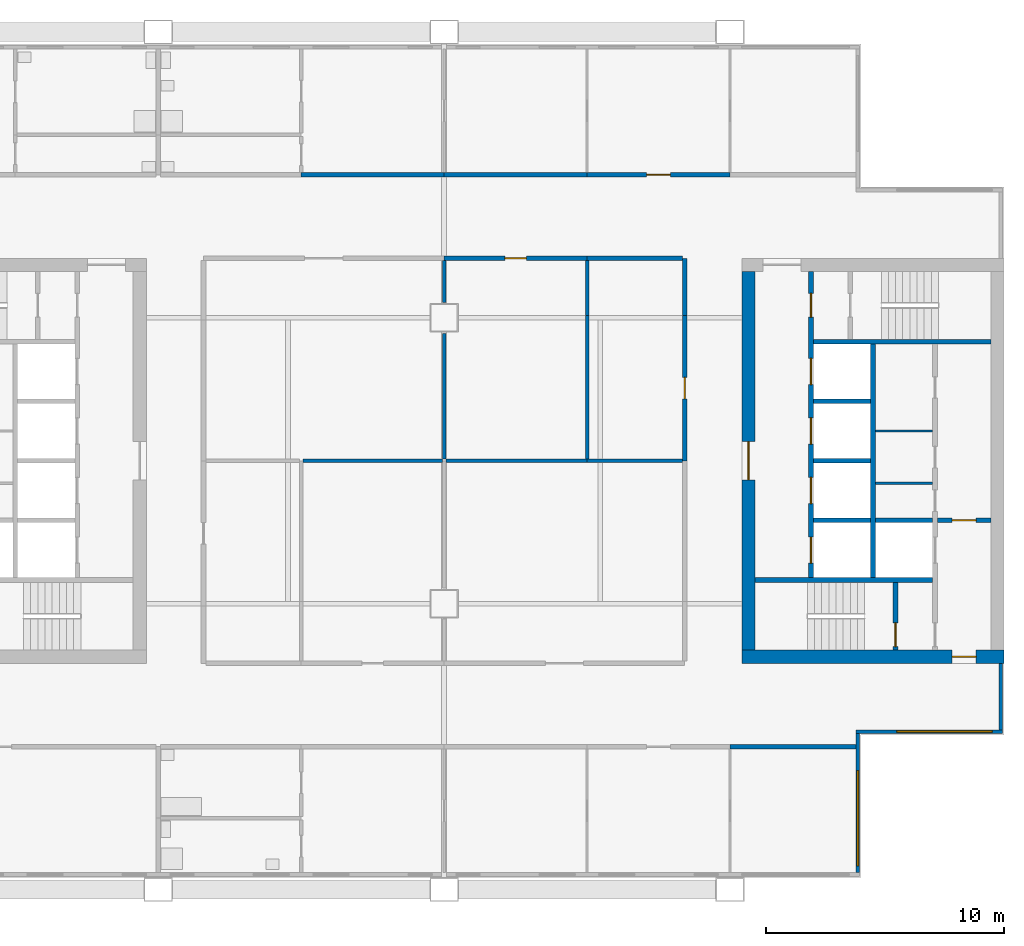
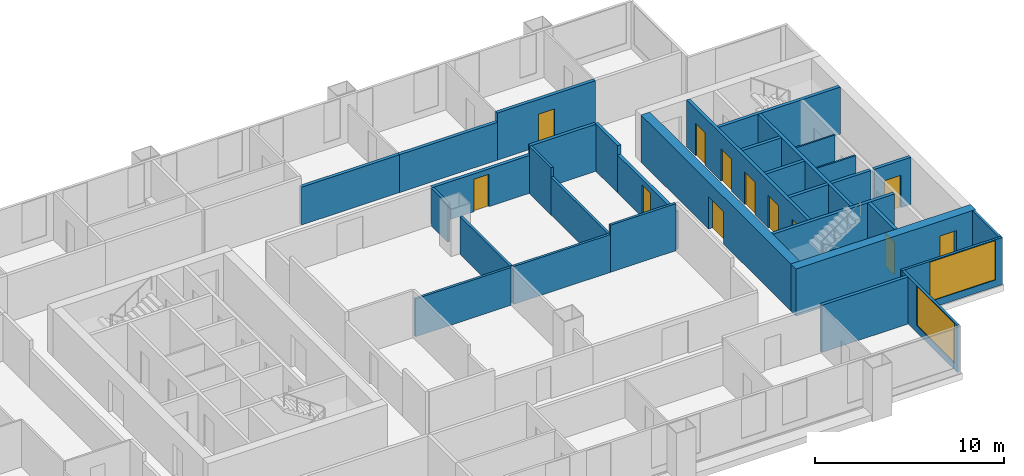
# One storey, part 5 of 9: 32 walls, 12 doors, 2 windows, 14 openings.
"""IFC4 building model written with IfcOpenShell, lengths in metres."""

from ifc_helpers import new_model, si_unit, direction, frame, frame_2d, origin, place, context, subcontext, project, spatial, rectangle, extrude, material, layer, layer_set, type_object, element, fill, save


model = new_model("IFC4")

# Units and contexts
model_context = context("Model", 3, precision=1e-05, world=origin(), true_north=direction((0.0, 1.0)))
body_context = subcontext(model_context, "Body", "Model", "MODEL_VIEW")
ifc_project = project(units=[si_unit("LENGTHUNIT", "METRE"), si_unit("AREAUNIT", "SQUARE_METRE"), si_unit("VOLUMEUNIT", "CUBIC_METRE"), si_unit("PLANEANGLEUNIT", "RADIAN"), si_unit("MASSUNIT", "GRAM", prefix="KILO")], contexts=[model_context])

# Site, building, storey
site_placement = place(None, origin())
site = spatial("IfcSite", under=ifc_project, at=site_placement, CompositionType="ELEMENT")
building_placement = place(site_placement, origin())
building = spatial("IfcBuilding", under=site, at=building_placement, Name="Kitamizu Gate Tower and Museum", CompositionType="ELEMENT")
storey_placement = place(building_placement, frame((0.0, 0.0, 206.550048828125)))
storey = spatial("IfcBuildingStorey", under=building, at=storey_placement, Name="L55", CompositionType="ELEMENT", Elevation=206.550048828125)

# Wall, opening, door
ifc_material_1 = material(Name="Concrete Fc42", Category="concrete")
ifc_layer_1 = layer(ifc_material_1, 0.550048828125)
ifc_layer_set_1 = layer_set([ifc_layer_1], Name="Concrete Fc42")
wall_type_1 = type_object("IfcWallType", Name="Core wall 550", PredefinedType="SHEAR", material=ifc_layer_set_1)
wall_1_placement = place(storey_placement, frame((59.5, 21.77490234375, 0.0), z_axis=(0.0, 0.0, 1.0), x_axis=(-1.0, 0.0, 0.0)))
wall_1 = element("IfcWall", 1, at=wall_1_placement, inside=storey, type_object=wall_type_1, Name="Core wall ES", PredefinedType="SHEAR", context=body_context, shape_type="SweptSolid", body=[
    extrude(rectangle(XDim=11.0, YDim=0.550048828125, at=frame_2d((5.5, 0.0))), origin(), (0.0, 0.0, 1.0), 3.050048828125),
])
opening_1_placement = place(wall_1_placement, frame((1.175048828125, 0.0, 0.0)))
opening_1 = element("IfcOpeningElement", 2, at=opening_1_placement, cuts=wall_1, Name="Opening L55-049", PredefinedType="OPENING", context=body_context, shape_type="SweptSolid", body=[
    extrude(rectangle(XDim=1.0, YDim=2.10009765625, at=frame_2d((0.5, 1.050048828125))), frame((0.0, 0.28515625, 0.0), z_axis=(0.0, -1.0, 0.0), x_axis=(1.0, 0.0, 0.0)), (0.0, 0.0, 1.0), 0.570068359375),
])
ifc_material_2 = material(Name="Hollow metal door set")
door_type_1 = type_object("IfcDoorType", Name="Fire door 1000", OperationType="NOTDEFINED", PredefinedType="DOOR", material=ifc_material_2)
door_1_placement = place(opening_1_placement, frame((1.0, 0.0, 0.0), x_axis=(-1.0, 0.0, 0.0)))
door_1 = element("IfcDoor", 3, at=door_1_placement, inside=storey, type_object=door_type_1, Name="Fire-fighting lobby door L55-049", OperationType="SINGLE_SWING_RIGHT", OverallHeight=2.10009765625, OverallWidth=1.0, PredefinedType="DOOR", context=body_context, shape_type="SweptSolid", body=[
    extrude(rectangle(XDim=1.0, YDim=2.10009765625, at=frame_2d((0.5, 1.050048828125))), frame((0.0, 0.02490234375, 0.0), z_axis=(0.0, -1.0, 0.0), x_axis=(1.0, 0.0, 0.0)), (0.0, 0.0, 1.0), 0.050048828125),
])
fill(opening_1, door_1)

wall_2_placement = place(storey_placement, frame((48.77490234375, 22.050048828125, 0.0), z_axis=(0.0, 0.0, 1.0), x_axis=(0.0, 1.0, 0.0)))
wall_2 = element("IfcWall", 4, at=wall_2_placement, inside=storey, type_object=wall_type_1, Name="Core wall EARC", PredefinedType="SHEAR", context=body_context, shape_type="SweptSolid", body=[
    extrude(rectangle(XDim=15.89990234375, YDim=0.550048828125, at=frame_2d((7.949951171875, 0.0))), origin(), (0.0, 0.0, 1.0), 3.050048828125),
])
opening_2_placement = place(wall_2_placement, frame((7.14990234375, 0.0, 0.0)))
opening_2 = element("IfcOpeningElement", 5, at=opening_2_placement, cuts=wall_2, Name="Opening L55-051", PredefinedType="OPENING", context=body_context, shape_type="SweptSolid", body=[
    extrude(rectangle(XDim=1.60009765625, YDim=2.10009765625, at=frame_2d((0.800048828125, 1.050048828125))), frame((0.0, 0.28515625, 0.0), z_axis=(0.0, -1.0, 0.0), x_axis=(1.0, 0.0, 0.0)), (0.0, 0.0, 1.0), 0.570068359375),
])
ifc_material_3 = material(Name="Timber door set", Category="wood")
door_type_2 = type_object("IfcDoorType", Name="Entrance door 1600", OperationType="DOUBLE_DOOR_SINGLE_SWING", PredefinedType="DOOR", material=ifc_material_3)
door_2_placement = place(opening_2_placement, origin())
door_2 = element("IfcDoor", 6, at=door_2_placement, inside=storey, type_object=door_type_2, Name="Lobby door L55-051", OperationType="DOUBLE_DOOR_SINGLE_SWING", OverallHeight=2.10009765625, OverallWidth=1.60009765625, PredefinedType="DOOR", context=body_context, shape_type="SweptSolid", body=[
    extrude(rectangle(XDim=1.60009765625, YDim=2.10009765625, at=frame_2d((0.800048828125, 1.050048828125))), frame((0.0, 0.02490234375, 0.0), z_axis=(0.0, -1.0, 0.0), x_axis=(1.0, 0.0, 0.0)), (0.0, 0.0, 1.0), 0.050048828125),
])
fill(opening_2, door_2)

# Walls
ifc_material_4 = material(Name="Gypsum board on galvanised stud")
ifc_layer_2 = layer(ifc_material_4, 0.10009765625)
ifc_layer_set_2 = layer_set([ifc_layer_2], Name="Gypsum board on galvanised stud")
wall_type_2 = type_object("IfcWallType", Name="Partition 100", PredefinedType="PARTITIONING", material=ifc_layer_set_2)
for number, where, z_axis, x_axis, name in (
    (7, (56.5, 29.06005859375, 0.0), (0.0, 0.0, 1.0), (-1.0, 0.0, 0.0), "Partition EPF1"),
    (8, (56.5, 31.25, 0.0), (0.0, 0.0, 1.0), (-1.0, 0.0, 0.0), "Partition EPF2"),
):
    element("IfcWall", number, at=place(storey_placement, frame(where, z_axis=z_axis, x_axis=x_axis)), inside=storey, type_object=wall_type_2, Name=name, PredefinedType="PARTITIONING", context=body_context, shape_type="SweptSolid", body=[
        extrude(rectangle(XDim=2.39990234375, YDim=0.10009765625, at=frame_2d((1.199951171875, 0.0))), origin(), (0.0, 0.0, 1.0), 3.050048828125),
    ])
ifc_material_5 = material(Name="Gypsum board on galvanised stud")
ifc_layer_3 = layer(ifc_material_5, 0.14990234375)
ifc_layer_set_3 = layer_set([ifc_layer_3], Name="Gypsum board on galvanised stud")
wall_type_3 = type_object("IfcWallType", Name="Partition 150", PredefinedType="PARTITIONING", material=ifc_layer_set_3)
wall_3_placement = place(storey_placement, frame((35.925048828125, 30.0, 0.0), z_axis=(0.0, 0.0, 1.0), x_axis=(-1.0, 0.0, 0.0)))
element("IfcWall", 9, at=wall_3_placement, inside=storey, type_object=wall_type_3, Name="Partition L55-077", PredefinedType="PARTITIONING", context=body_context, shape_type="SweptSolid", body=[
    extrude(rectangle(XDim=5.85009765625, YDim=0.14990234375, at=frame_2d((2.925048828125, 0.0))), origin(), (0.0, 0.0, 1.0), 2.449951171875),
])
wall_4_placement = place(storey_placement, frame((42.0, 30.0, 0.0), z_axis=(0.0, 0.0, 1.0), x_axis=(-1.0, 0.0, 0.0)))
element("IfcWall", 10, at=wall_4_placement, inside=storey, type_object=wall_type_3, Name="Partition L55-078", PredefinedType="PARTITIONING", context=body_context, shape_type="SweptSolid", body=[
    extrude(rectangle(XDim=5.925048828125, YDim=0.14990234375, at=frame_2d((2.96240234375, 0.0))), origin(), (0.0, 0.0, 1.0), 2.449951171875),
])
wall_5_placement = place(storey_placement, frame((46.0, 30.0, 0.0), z_axis=(0.0, 0.0, 1.0), x_axis=(-1.0, 0.0, 0.0)))
element("IfcWall", 11, at=wall_5_placement, inside=storey, type_object=wall_type_3, Name="Partition L55-079", PredefinedType="PARTITIONING", context=body_context, shape_type="SweptSolid", body=[
    extrude(rectangle(XDim=4.0, YDim=0.14990234375, at=frame_2d((2.0, 0.0))), origin(), (0.0, 0.0, 1.0), 3.050048828125),
])
wall_6_placement = place(storey_placement, frame((36.0, 30.074951171875, 0.0), z_axis=(0.0, 0.0, 1.0), x_axis=(0.0, 1.0, 0.0)))
element("IfcWall", 12, at=wall_6_placement, inside=storey, type_object=wall_type_3, Name="Partition L55-080", PredefinedType="PARTITIONING", context=body_context, shape_type="SweptSolid", body=[
    extrude(rectangle(XDim=5.275146484375, YDim=0.14990234375, at=frame_2d((2.6376953125, 0.0))), origin(), (0.0, 0.0, 1.0), 2.449951171875),
])
wall_7_placement = place(storey_placement, frame((36.0, 36.64990234375, 0.0), z_axis=(0.0, 0.0, 1.0), x_axis=(0.0, 1.0, 0.0)))
element("IfcWall", 13, at=wall_7_placement, inside=storey, type_object=wall_type_3, Name="Partition L55-081", PredefinedType="PARTITIONING", context=body_context, shape_type="SweptSolid", body=[
    extrude(rectangle(XDim=1.75, YDim=0.14990234375, at=frame_2d((0.875, 0.0))), origin(), (0.0, 0.0, 1.0), 2.449951171875),
])
wall_8_placement = place(storey_placement, frame((42.0, 30.074951171875, 0.0), z_axis=(0.0, 0.0, 1.0), x_axis=(0.0, 1.0, 0.0)))
element("IfcWall", 14, at=wall_8_placement, inside=storey, type_object=wall_type_3, Name="Partition L55-082", PredefinedType="PARTITIONING", context=body_context, shape_type="SweptSolid", body=[
    extrude(rectangle(XDim=6.025146484375, YDim=0.14990234375, at=frame_2d((3.0126953125, 0.0))), origin(), (0.0, 0.0, 1.0), 2.449951171875),
])
wall_9_placement = place(storey_placement, frame((42.0, 36.10009765625, 0.0), z_axis=(0.0, 0.0, 1.0), x_axis=(0.0, 1.0, 0.0)))
element("IfcWall", 15, at=wall_9_placement, inside=storey, type_object=wall_type_3, Name="Partition L55-083", PredefinedType="PARTITIONING", context=body_context, shape_type="SweptSolid", body=[
    extrude(rectangle(XDim=2.2998046875, YDim=0.14990234375, at=frame_2d((1.14990234375, 0.0))), origin(), (0.0, 0.0, 1.0), 3.050048828125),
])
ifc_material_6 = material(Name="Gypsum board on galvanised stud")
ifc_layer_4 = layer(ifc_material_6, 0.199951171875)
ifc_layer_set_4 = layer_set([ifc_layer_4], Name="Gypsum board on galvanised stud")
wall_type_4 = type_object("IfcWallType", Name="Partition 200", PredefinedType="PARTITIONING", material=ifc_layer_set_4)
wall_10_placement = place(storey_placement, frame((53.280029296875, 18.0, 0.0), z_axis=(0.0, 0.0, 1.0), x_axis=(-1.0, 0.0, 0.0)))
element("IfcWall", 16, at=wall_10_placement, inside=storey, type_object=wall_type_4, Name="Partition L55-013", PredefinedType="PARTITIONING", context=body_context, shape_type="SweptSolid", body=[
    extrude(rectangle(XDim=5.280029296875, YDim=0.199951171875, at=frame_2d((2.64013671875, 0.0))), origin(), (0.0, 0.0, 1.0), 3.050048828125),
])
for number, where, z_axis, x_axis, name in (
    (17, (30.0, 42.0, 0.0), (0.0, 0.0, 1.0), (1.0, 0.0, 0.0), "Partition L55-029"),
    (18, (36.0, 42.0, 0.0), (0.0, 0.0, 1.0), (1.0, 0.0, 0.0), "Partition L55-031"),
):
    element("IfcWall", number, at=place(storey_placement, frame(where, z_axis=z_axis, x_axis=x_axis)), inside=storey, type_object=wall_type_4, Name=name, PredefinedType="PARTITIONING", context=body_context, shape_type="SweptSolid", body=[
        extrude(rectangle(XDim=6.0, YDim=0.199951171875, at=frame_2d((3.0, 0.0))), origin(), (0.0, 0.0, 1.0), 2.449951171875),
    ])

# Wall, opening, door
wall_11_placement = place(storey_placement, frame((42.0, 42.0, 0.0), z_axis=(0.0, 0.0, 1.0), x_axis=(1.0, 0.0, 0.0)))
wall_11 = element("IfcWall", 19, at=wall_11_placement, inside=storey, type_object=wall_type_4, Name="Partition L55-033", PredefinedType="PARTITIONING", context=body_context, shape_type="SweptSolid", body=[
    extrude(rectangle(XDim=6.0, YDim=0.199951171875, at=frame_2d((3.0, 0.0))), origin(), (0.0, 0.0, 1.0), 3.050048828125),
])
opening_3_placement = place(wall_11_placement, frame((2.5, 0.0, 0.0)))
opening_3 = element("IfcOpeningElement", 20, at=opening_3_placement, cuts=wall_11, Name="Opening L55-011", PredefinedType="OPENING", context=body_context, shape_type="SweptSolid", body=[
    extrude(rectangle(XDim=1.0, YDim=2.10009765625, at=frame_2d((0.5, 1.050048828125))), frame((0.0, 0.10986328125, 0.0), z_axis=(0.0, -1.0, 0.0), x_axis=(1.0, 0.0, 0.0)), (0.0, 0.0, 1.0), 0.219970703125),
])
ifc_material_7 = material(Name="Timber door set", Category="wood")
door_type_3 = type_object("IfcDoorType", Name="Flat entrance door 1000", OperationType="NOTDEFINED", PredefinedType="DOOR", material=ifc_material_7)
door_3_placement = place(opening_3_placement, origin())
door_3 = element("IfcDoor", 21, at=door_3_placement, inside=storey, type_object=door_type_3, Name="Flat entrance door L55-011", OperationType="SINGLE_SWING_LEFT", OverallHeight=2.10009765625, OverallWidth=1.0, PredefinedType="DOOR", context=body_context, shape_type="SweptSolid", body=[
    extrude(rectangle(XDim=1.0, YDim=2.10009765625, at=frame_2d((0.5, 1.050048828125))), frame((0.0, 0.02490234375, 0.0), z_axis=(0.0, -1.0, 0.0), x_axis=(1.0, 0.0, 0.0)), (0.0, 0.0, 1.0), 0.050048828125),
])
fill(opening_3, door_3)

wall_12_placement = place(storey_placement, frame((42.0, 38.5, 0.0), z_axis=(0.0, 0.0, 1.0), x_axis=(-1.0, 0.0, 0.0)))
wall_12 = element("IfcWall", 22, at=wall_12_placement, inside=storey, type_object=wall_type_4, Name="Partition L55-068", PredefinedType="PARTITIONING", context=body_context, shape_type="SweptSolid", body=[
    extrude(rectangle(XDim=6.0, YDim=0.199951171875, at=frame_2d((3.0, 0.0))), origin(), (0.0, 0.0, 1.0), 2.449951171875),
])
opening_4_placement = place(wall_12_placement, frame((2.550048828125, 0.0, 0.0)))
opening_4 = element("IfcOpeningElement", 23, at=opening_4_placement, cuts=wall_12, Name="Opening L55-030", PredefinedType="OPENING", context=body_context, shape_type="SweptSolid", body=[
    extrude(rectangle(XDim=0.89990234375, YDim=2.10009765625, at=frame_2d((0.449951171875, 1.050048828125))), frame((0.0, 0.10986328125, 0.0), z_axis=(0.0, -1.0, 0.0), x_axis=(1.0, 0.0, 0.0)), (0.0, 0.0, 1.0), 0.219970703125),
])
ifc_material_8 = material(Name="Timber door set", Category="wood")
door_type_4 = type_object("IfcDoorType", Name="Room door 900", OperationType="NOTDEFINED", PredefinedType="DOOR", material=ifc_material_8)
door_4_placement = place(opening_4_placement, origin())
door_4 = element("IfcDoor", 24, at=door_4_placement, inside=storey, type_object=door_type_4, Name="Door L55-030", OperationType="SINGLE_SWING_LEFT", OverallHeight=2.10009765625, OverallWidth=0.89990234375, PredefinedType="DOOR", context=body_context, shape_type="SweptSolid", body=[
    extrude(rectangle(XDim=0.89990234375, YDim=2.10009765625, at=frame_2d((0.449951171875, 1.050048828125))), frame((0.0, 0.02490234375, 0.0), z_axis=(0.0, -1.0, 0.0), x_axis=(1.0, 0.0, 0.0)), (0.0, 0.0, 1.0), 0.050048828125),
])
fill(opening_4, door_4)

wall_13_placement = place(storey_placement, frame((46.10009765625, 30.0, 0.0), z_axis=(0.0, 0.0, 1.0), x_axis=(0.0, 1.0, 0.0)))
wall_13 = element("IfcWall", 25, at=wall_13_placement, inside=storey, type_object=wall_type_4, Name="Partition L55-069", PredefinedType="PARTITIONING", context=body_context, shape_type="SweptSolid", body=[
    extrude(rectangle(XDim=6.10009765625, YDim=0.199951171875, at=frame_2d((3.050048828125, 0.0))), origin(), (0.0, 0.0, 1.0), 2.449951171875),
])
opening_5_placement = place(wall_13_placement, frame((2.60009765625, 0.0, 0.0)))
opening_5 = element("IfcOpeningElement", 26, at=opening_5_placement, cuts=wall_13, Name="Opening L55-031", PredefinedType="OPENING", context=body_context, shape_type="SweptSolid", body=[
    extrude(rectangle(XDim=0.89990234375, YDim=2.10009765625, at=frame_2d((0.449951171875, 1.050048828125))), frame((0.0, 0.10986328125, 0.0), z_axis=(0.0, -1.0, 0.0), x_axis=(1.0, 0.0, 0.0)), (0.0, 0.0, 1.0), 0.219970703125),
])
door_5_placement = place(opening_5_placement, origin())
door_5 = element("IfcDoor", 27, at=door_5_placement, inside=storey, type_object=door_type_4, Name="Door L55-031", OperationType="SINGLE_SWING_RIGHT", OverallHeight=2.10009765625, OverallWidth=0.89990234375, PredefinedType="DOOR", context=body_context, shape_type="SweptSolid", body=[
    extrude(rectangle(XDim=0.89990234375, YDim=2.10009765625, at=frame_2d((0.449951171875, 1.050048828125))), frame((0.0, 0.02490234375, 0.0), z_axis=(0.0, -1.0, 0.0), x_axis=(1.0, 0.0, 0.0)), (0.0, 0.0, 1.0), 0.050048828125),
])
fill(opening_5, door_5)

# Walls
wall_14_placement = place(storey_placement, frame((46.10009765625, 36.10009765625, 0.0), z_axis=(0.0, 0.0, 1.0), x_axis=(0.0, 1.0, 0.0)))
element("IfcWall", 28, at=wall_14_placement, inside=storey, type_object=wall_type_4, Name="Partition L55-070", PredefinedType="PARTITIONING", context=body_context, shape_type="SweptSolid", body=[
    extrude(rectangle(XDim=2.39990234375, YDim=0.199951171875, at=frame_2d((1.199951171875, 0.0))), origin(), (0.0, 0.0, 1.0), 3.050048828125),
])
wall_15_placement = place(storey_placement, frame((46.0, 38.5, 0.0), z_axis=(0.0, 0.0, 1.0), x_axis=(-1.0, 0.0, 0.0)))
element("IfcWall", 29, at=wall_15_placement, inside=storey, type_object=wall_type_4, Name="Partition L55-071", PredefinedType="PARTITIONING", context=body_context, shape_type="SweptSolid", body=[
    extrude(rectangle(XDim=4.0, YDim=0.199951171875, at=frame_2d((2.0, 0.0))), origin(), (0.0, 0.0, 1.0), 3.050048828125),
])

# Wall, openings, doors
ifc_material_9 = material(Name="Concrete Fc42", Category="concrete")
ifc_layer_5 = layer(ifc_material_9, 0.199951171875)
ifc_layer_set_5 = layer_set([ifc_layer_5], Name="Concrete Fc42")
wall_type_5 = type_object("IfcWallType", Name="Shaft wall 200", PredefinedType="SOLIDWALL", material=ifc_layer_set_5)
wall_16_placement = place(storey_placement, frame((51.39990234375, 25.10009765625, 0.0), z_axis=(0.0, 0.0, 1.0), x_axis=(0.0, 1.0, 0.0)))
wall_16 = element("IfcWall", 30, at=wall_16_placement, inside=storey, type_object=wall_type_5, Name="Shaft wall EEAST", PredefinedType="SOLIDWALL", context=body_context, shape_type="SweptSolid", body=[
    extrude(rectangle(XDim=12.849853515625, YDim=0.199951171875, at=frame_2d((6.4248046875, 0.0))), origin(), (0.0, 0.0, 1.0), 3.050048828125),
])
opening_6_placement = place(wall_16_placement, frame((0.60009765625, 0.0, 0.0)))
opening_6 = element("IfcOpeningElement", 31, at=opening_6_placement, cuts=wall_16, Name="Opening LD", PredefinedType="OPENING", context=body_context, shape_type="SweptSolid", body=[
    extrude(rectangle(XDim=1.10009765625, YDim=2.10009765625, at=frame_2d((0.550048828125, 1.050048828125))), frame((0.0, 0.10986328125, 0.0), z_axis=(0.0, -1.0, 0.0), x_axis=(1.0, 0.0, 0.0)), (0.0, 0.0, 1.0), 0.219970703125),
])
opening_7_placement = place(wall_16_placement, frame((3.10009765625, 0.0, 0.0)))
opening_7 = element("IfcOpeningElement", 32, at=opening_7_placement, cuts=wall_16, Name="Opening LD", PredefinedType="OPENING", context=body_context, shape_type="SweptSolid", body=[
    extrude(rectangle(XDim=1.10009765625, YDim=2.10009765625, at=frame_2d((0.550048828125, 1.050048828125))), frame((0.0, 0.10986328125, 0.0), z_axis=(0.0, -1.0, 0.0), x_axis=(1.0, 0.0, 0.0)), (0.0, 0.0, 1.0), 0.219970703125),
])
opening_8_placement = place(wall_16_placement, frame((5.60009765625, 0.0, 0.0)))
opening_8 = element("IfcOpeningElement", 33, at=opening_8_placement, cuts=wall_16, Name="Opening LD", PredefinedType="OPENING", context=body_context, shape_type="SweptSolid", body=[
    extrude(rectangle(XDim=1.10009765625, YDim=2.10009765625, at=frame_2d((0.550048828125, 1.050048828125))), frame((0.0, 0.10986328125, 0.0), z_axis=(0.0, -1.0, 0.0), x_axis=(1.0, 0.0, 0.0)), (0.0, 0.0, 1.0), 0.219970703125),
])
opening_9_placement = place(wall_16_placement, frame((8.10009765625, 0.0, 0.0)))
opening_9 = element("IfcOpeningElement", 34, at=opening_9_placement, cuts=wall_16, Name="Opening LD", PredefinedType="OPENING", context=body_context, shape_type="SweptSolid", body=[
    extrude(rectangle(XDim=1.10009765625, YDim=2.10009765625, at=frame_2d((0.550048828125, 1.050048828125))), frame((0.0, 0.10986328125, 0.0), z_axis=(0.0, -1.0, 0.0), x_axis=(1.0, 0.0, 0.0)), (0.0, 0.0, 1.0), 0.219970703125),
])
opening_10_placement = place(wall_16_placement, frame((10.925048828125, 0.0, 0.0)))
opening_10 = element("IfcOpeningElement", 35, at=opening_10_placement, cuts=wall_16, Name="Opening L55-046", PredefinedType="OPENING", context=body_context, shape_type="SweptSolid", body=[
    extrude(rectangle(XDim=1.0, YDim=2.10009765625, at=frame_2d((0.5, 1.050048828125))), frame((0.0, 0.10986328125, 0.0), z_axis=(0.0, -1.0, 0.0), x_axis=(1.0, 0.0, 0.0)), (0.0, 0.0, 1.0), 0.219970703125),
])
door_6_placement = place(opening_10_placement, frame((1.0, 0.0, 0.0), x_axis=(-1.0, 0.0, 0.0)))
door_6 = element("IfcDoor", 36, at=door_6_placement, inside=storey, type_object=door_type_1, Name="Stair lobby door L55-046", OperationType="SINGLE_SWING_LEFT", OverallHeight=2.10009765625, OverallWidth=1.0, PredefinedType="DOOR", context=body_context, shape_type="SweptSolid", body=[
    extrude(rectangle(XDim=1.0, YDim=2.10009765625, at=frame_2d((0.5, 1.050048828125))), frame((0.0, 0.02490234375, 0.0), z_axis=(0.0, -1.0, 0.0), x_axis=(1.0, 0.0, 0.0)), (0.0, 0.0, 1.0), 0.050048828125),
])
fill(opening_10, door_6)
ifc_material_10 = material(Name="Hollow metal door set")
door_type_5 = type_object("IfcDoorType", Name="Landing door 1100", OperationType="SLIDING_TO_LEFT", PredefinedType="DOOR", material=ifc_material_10)
door_7_placement = place(opening_6_placement, origin())
door_7 = element("IfcDoor", 37, at=door_7_placement, inside=storey, type_object=door_type_5, Name="Landing door ESV1", OperationType="SLIDING_TO_LEFT", OverallHeight=2.10009765625, OverallWidth=1.10009765625, PredefinedType="DOOR", context=body_context, shape_type="SweptSolid", body=[
    extrude(rectangle(XDim=1.10009765625, YDim=2.10009765625, at=frame_2d((0.550048828125, 1.050048828125))), frame((0.0, 0.02490234375, 0.0), z_axis=(0.0, -1.0, 0.0), x_axis=(1.0, 0.0, 0.0)), (0.0, 0.0, 1.0), 0.050048828125),
])
fill(opening_6, door_7)
door_8_placement = place(opening_7_placement, origin())
door_8 = element("IfcDoor", 38, at=door_8_placement, inside=storey, type_object=door_type_5, Name="Landing door EH1", OperationType="SLIDING_TO_LEFT", OverallHeight=2.10009765625, OverallWidth=1.10009765625, PredefinedType="DOOR", context=body_context, shape_type="SweptSolid", body=[
    extrude(rectangle(XDim=1.10009765625, YDim=2.10009765625, at=frame_2d((0.550048828125, 1.050048828125))), frame((0.0, 0.02490234375, 0.0), z_axis=(0.0, -1.0, 0.0), x_axis=(1.0, 0.0, 0.0)), (0.0, 0.0, 1.0), 0.050048828125),
])
fill(opening_7, door_8)
door_9_placement = place(opening_8_placement, origin())
door_9 = element("IfcDoor", 39, at=door_9_placement, inside=storey, type_object=door_type_5, Name="Landing door EH2", OperationType="SLIDING_TO_LEFT", OverallHeight=2.10009765625, OverallWidth=1.10009765625, PredefinedType="DOOR", context=body_context, shape_type="SweptSolid", body=[
    extrude(rectangle(XDim=1.10009765625, YDim=2.10009765625, at=frame_2d((0.550048828125, 1.050048828125))), frame((0.0, 0.02490234375, 0.0), z_axis=(0.0, -1.0, 0.0), x_axis=(1.0, 0.0, 0.0)), (0.0, 0.0, 1.0), 0.050048828125),
])
fill(opening_8, door_9)
door_10_placement = place(opening_9_placement, origin())
door_10 = element("IfcDoor", 40, at=door_10_placement, inside=storey, type_object=door_type_5, Name="Landing door EH3", OperationType="SLIDING_TO_LEFT", OverallHeight=2.10009765625, OverallWidth=1.10009765625, PredefinedType="DOOR", context=body_context, shape_type="SweptSolid", body=[
    extrude(rectangle(XDim=1.10009765625, YDim=2.10009765625, at=frame_2d((0.550048828125, 1.050048828125))), frame((0.0, 0.02490234375, 0.0), z_axis=(0.0, -1.0, 0.0), x_axis=(1.0, 0.0, 0.0)), (0.0, 0.0, 1.0), 0.050048828125),
])
fill(opening_9, door_10)

# Walls
wall_17_placement = place(storey_placement, frame((54.0, 25.10009765625, 0.0), z_axis=(0.0, 0.0, 1.0), x_axis=(0.0, 1.0, 0.0)))
element("IfcWall", 41, at=wall_17_placement, inside=storey, type_object=wall_type_5, Name="Shaft wall EMID", PredefinedType="SOLIDWALL", context=body_context, shape_type="SweptSolid", body=[
    extrude(rectangle(XDim=9.7998046875, YDim=0.199951171875, at=frame_2d((4.89990234375, 0.0))), origin(), (0.0, 0.0, 1.0), 3.050048828125),
])
for number, where, z_axis, x_axis, name in (
    (42, (56.5, 25.0, 0.0), (0.0, 0.0, 1.0), (-1.0, 0.0, 0.0), "Shaft wall ESB"),
    (43, (58.949951171875, 35.0, 0.0), (0.0, 0.0, 1.0), (-1.0, 0.0, 0.0), "Shaft wall ENB"),
):
    element("IfcWall", number, at=place(storey_placement, frame(where, z_axis=z_axis, x_axis=x_axis)), inside=storey, type_object=wall_type_5, Name=name, PredefinedType="SOLIDWALL", context=body_context, shape_type="SweptSolid", body=[
        extrude(rectangle(XDim=7.449951171875, YDim=0.199951171875, at=frame_2d((3.72509765625, 0.0))), origin(), (0.0, 0.0, 1.0), 3.050048828125),
    ])

# Wall, opening, door
wall_18_placement = place(storey_placement, frame((58.949951171875, 27.5, 0.0), z_axis=(0.0, 0.0, 1.0), x_axis=(-1.0, 0.0, 0.0)))
wall_18 = element("IfcWall", 44, at=wall_18_placement, inside=storey, type_object=wall_type_5, Name="Shaft wall EFFN", PredefinedType="SOLIDWALL", context=body_context, shape_type="SweptSolid", body=[
    extrude(rectangle(XDim=2.25, YDim=0.199951171875, at=frame_2d((1.125, 0.0))), origin(), (0.0, 0.0, 1.0), 3.050048828125),
])
opening_11_placement = place(wall_18_placement, frame((0.625, 0.0, 0.0)))
opening_11 = element("IfcOpeningElement", 45, at=opening_11_placement, cuts=wall_18, Name="Opening L55-048", PredefinedType="OPENING", context=body_context, shape_type="SweptSolid", body=[
    extrude(rectangle(XDim=1.0, YDim=2.10009765625, at=frame_2d((0.5, 1.050048828125))), frame((0.0, 0.10986328125, 0.0), z_axis=(0.0, -1.0, 0.0), x_axis=(1.0, 0.0, 0.0)), (0.0, 0.0, 1.0), 0.219970703125),
])
door_11_placement = place(opening_11_placement, origin())
door_11 = element("IfcDoor", 46, at=door_11_placement, inside=storey, type_object=door_type_1, Name="Fire-fighting lobby door L55-048", OperationType="SINGLE_SWING_RIGHT", OverallHeight=2.10009765625, OverallWidth=1.0, PredefinedType="DOOR", context=body_context, shape_type="SweptSolid", body=[
    extrude(rectangle(XDim=1.0, YDim=2.10009765625, at=frame_2d((0.5, 1.050048828125))), frame((0.0, 0.02490234375, 0.0), z_axis=(0.0, -1.0, 0.0), x_axis=(1.0, 0.0, 0.0)), (0.0, 0.0, 1.0), 0.050048828125),
])
fill(opening_11, door_11)

wall_19_placement = place(storey_placement, frame((54.949951171875, 22.050048828125, 0.0), z_axis=(0.0, 0.0, 1.0), x_axis=(0.0, 1.0, 0.0)))
wall_19 = element("IfcWall", 47, at=wall_19_placement, inside=storey, type_object=wall_type_5, Name="Shaft wall ESZ", PredefinedType="SOLIDWALL", context=body_context, shape_type="SweptSolid", body=[
    extrude(rectangle(XDim=2.849853515625, YDim=0.199951171875, at=frame_2d((1.4248046875, 0.0))), origin(), (0.0, 0.0, 1.0), 3.050048828125),
])
opening_12_placement = place(wall_19_placement, frame((0.14990234375, 0.0, 0.0)))
opening_12 = element("IfcOpeningElement", 48, at=opening_12_placement, cuts=wall_19, Name="Opening L55-044", PredefinedType="OPENING", context=body_context, shape_type="SweptSolid", body=[
    extrude(rectangle(XDim=1.0, YDim=2.10009765625, at=frame_2d((0.5, 1.050048828125))), frame((0.0, 0.10986328125, 0.0), z_axis=(0.0, -1.0, 0.0), x_axis=(1.0, 0.0, 0.0)), (0.0, 0.0, 1.0), 0.219970703125),
])
door_12_placement = place(opening_12_placement, origin())
door_12 = element("IfcDoor", 49, at=door_12_placement, inside=storey, type_object=door_type_1, Name="Stair door L55-044", OperationType="SINGLE_SWING_RIGHT", OverallHeight=2.10009765625, OverallWidth=1.0, PredefinedType="DOOR", context=body_context, shape_type="SweptSolid", body=[
    extrude(rectangle(XDim=1.0, YDim=2.10009765625, at=frame_2d((0.5, 1.050048828125))), frame((0.0, 0.02490234375, 0.0), z_axis=(0.0, -1.0, 0.0), x_axis=(1.0, 0.0, 0.0)), (0.0, 0.0, 1.0), 0.050048828125),
])
fill(opening_12, door_12)

# Walls
for number, where, z_axis, x_axis, name in (
    (50, (56.5, 27.5, 0.0), (0.0, 0.0, 1.0), (-1.0, 0.0, 0.0), "Shaft wall EDVW0"),
    (51, (53.89990234375, 27.5, 0.0), (0.0, 0.0, 1.0), (-1.0, 0.0, 0.0), "Shaft wall EDVE0"),
    (52, (53.89990234375, 30.0, 0.0), (0.0, 0.0, 1.0), (-1.0, 0.0, 0.0), "Shaft wall EDVE1"),
    (53, (53.89990234375, 32.5, 0.0), (0.0, 0.0, 1.0), (-1.0, 0.0, 0.0), "Shaft wall EDVE2"),
):
    element("IfcWall", number, at=place(storey_placement, frame(where, z_axis=z_axis, x_axis=x_axis)), inside=storey, type_object=wall_type_5, Name=name, PredefinedType="SOLIDWALL", context=body_context, shape_type="SweptSolid", body=[
        extrude(rectangle(XDim=2.39990234375, YDim=0.199951171875, at=frame_2d((1.199951171875, 0.0))), origin(), (0.0, 0.0, 1.0), 3.050048828125),
    ])

# Wall, opening, window
ifc_material_11 = material(Name="Bronze anodised aluminium frame with insulated spandrel and tinted glass", Category="aluminium")
ifc_layer_6 = layer(ifc_material_11, 0.14990234375)
ifc_layer_set_6 = layer_set([ifc_layer_6], Name="Bronze anodised aluminium frame with insulated spandrel and tinted glass")
wall_type_6 = type_object("IfcWallType", Name="WINDOW WALL 150 BRONZE FRAME EI 30", PredefinedType="ELEMENTEDWALL", material=ifc_layer_set_6)
wall_20_placement = place(storey_placement, frame((53.364990234375, 12.7099609375, 0.0), z_axis=(0.0, 0.0, 1.0), x_axis=(0.0, 1.0, 0.0)))
wall_20 = element("IfcWall", 54, at=wall_20_placement, inside=storey, type_object=wall_type_6, Name="Window wall east L55", PredefinedType="ELEMENTEDWALL", context=body_context, shape_type="SweptSolid", body=[
    extrude(rectangle(XDim=5.85009765625, YDim=0.14990234375, at=frame_2d((2.925048828125, 0.0))), origin(), (0.0, 0.0, 1.0), 3.050048828125),
])
opening_13_placement = place(wall_20_placement, frame((0.2900390625, 0.0, 0.449951171875)))
opening_13 = element("IfcOpeningElement", 55, at=opening_13_placement, cuts=wall_20, Name="Opening W16", PredefinedType="OPENING", context=body_context, shape_type="SweptSolid", body=[
    extrude(rectangle(XDim=4.0, YDim=2.550048828125, at=frame_2d((2.0, 1.27490234375))), frame((0.0, 0.0849609375, 0.0), z_axis=(0.0, -1.0, 0.0), x_axis=(1.0, 0.0, 0.0)), (0.0, 0.0, 1.0), 0.169921875),
])
ifc_material_12 = material(Name="Bronze anodised aluminium frame, tinted triple glazing", Category="aluminium")
window_type = type_object("IfcWindowType", Name="WINDOW 4000 x 2550 SILL 450", PartitioningType="SINGLE_PANEL", PredefinedType="WINDOW", material=ifc_material_12)
window_1_placement = place(opening_13_placement, origin())
window_1 = element("IfcWindow", 56, at=window_1_placement, inside=storey, type_object=window_type, Name="Window W16 L55", OverallHeight=2.550048828125, OverallWidth=4.0, PartitioningType="SINGLE_PANEL", PredefinedType="WINDOW", context=body_context, shape_type="SweptSolid", body=[
    extrude(rectangle(XDim=4.0, YDim=2.550048828125, at=frame_2d((2.0, 1.27490234375))), frame((0.0, 0.030029296875, 0.0), z_axis=(0.0, -1.0, 0.0), x_axis=(1.0, 0.0, 0.0)), (0.0, 0.0, 1.0), 0.06005859375),
])
fill(opening_13, window_1)

wall_21_placement = place(storey_placement, frame((53.2900390625, 18.635009765625, 0.0), z_axis=(0.0, 0.0, 1.0), x_axis=(1.0, 0.0, 0.0)))
wall_21 = element("IfcWall", 57, at=wall_21_placement, inside=storey, type_object=wall_type_6, Name="Window wall south L55", PredefinedType="ELEMENTEDWALL", context=body_context, shape_type="SweptSolid", body=[
    extrude(rectangle(XDim=6.14990234375, YDim=0.14990234375, at=frame_2d((3.074951171875, 0.0))), origin(), (0.0, 0.0, 1.0), 3.050048828125),
])
opening_14_placement = place(wall_21_placement, frame((1.7099609375, 0.0, 0.449951171875)))
opening_14 = element("IfcOpeningElement", 58, at=opening_14_placement, cuts=wall_21, Name="Opening W16", PredefinedType="OPENING", context=body_context, shape_type="SweptSolid", body=[
    extrude(rectangle(XDim=4.0, YDim=2.550048828125, at=frame_2d((2.0, 1.27490234375))), frame((0.0, 0.0849609375, 0.0), z_axis=(0.0, -1.0, 0.0), x_axis=(1.0, 0.0, 0.0)), (0.0, 0.0, 1.0), 0.169921875),
])
window_2_placement = place(opening_14_placement, origin())
window_2 = element("IfcWindow", 59, at=window_2_placement, inside=storey, type_object=window_type, Name="Window W16 L55", OverallHeight=2.550048828125, OverallWidth=4.0, PartitioningType="SINGLE_PANEL", PredefinedType="WINDOW", context=body_context, shape_type="SweptSolid", body=[
    extrude(rectangle(XDim=4.0, YDim=2.550048828125, at=frame_2d((2.0, 1.27490234375))), frame((0.0, 0.030029296875, 0.0), z_axis=(0.0, -1.0, 0.0), x_axis=(1.0, 0.0, 0.0)), (0.0, 0.0, 1.0), 0.06005859375),
])
fill(opening_14, window_2)

# Wall
wall_22_placement = place(storey_placement, frame((59.364990234375, 18.7099609375, 0.0), z_axis=(0.0, 0.0, 1.0), x_axis=(0.0, 1.0, 0.0)))
element("IfcWall", 60, at=wall_22_placement, inside=storey, type_object=wall_type_6, Name="Window wall east L55", PredefinedType="ELEMENTEDWALL", context=body_context, shape_type="SweptSolid", body=[
    extrude(rectangle(XDim=2.7900390625, YDim=0.14990234375, at=frame_2d((1.39501953125, 0.0))), origin(), (0.0, 0.0, 1.0), 3.050048828125),
])

save(model, "model.ifc")
